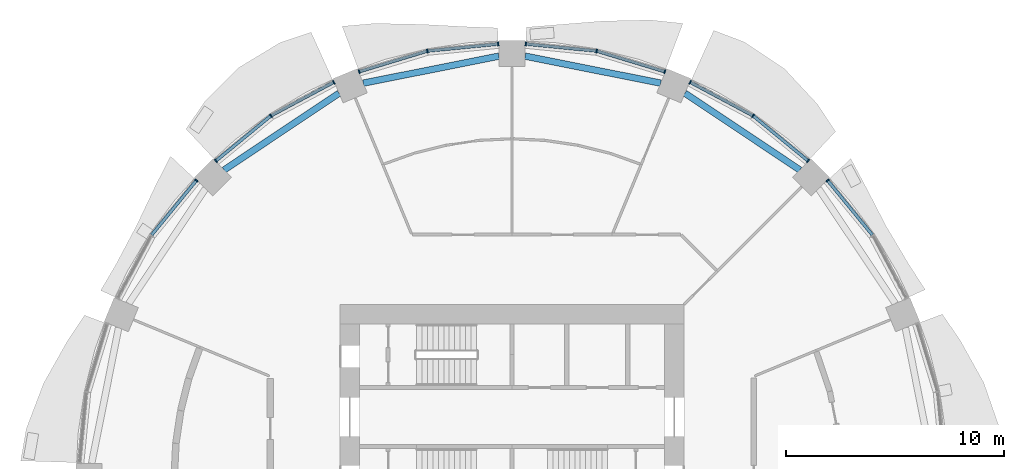
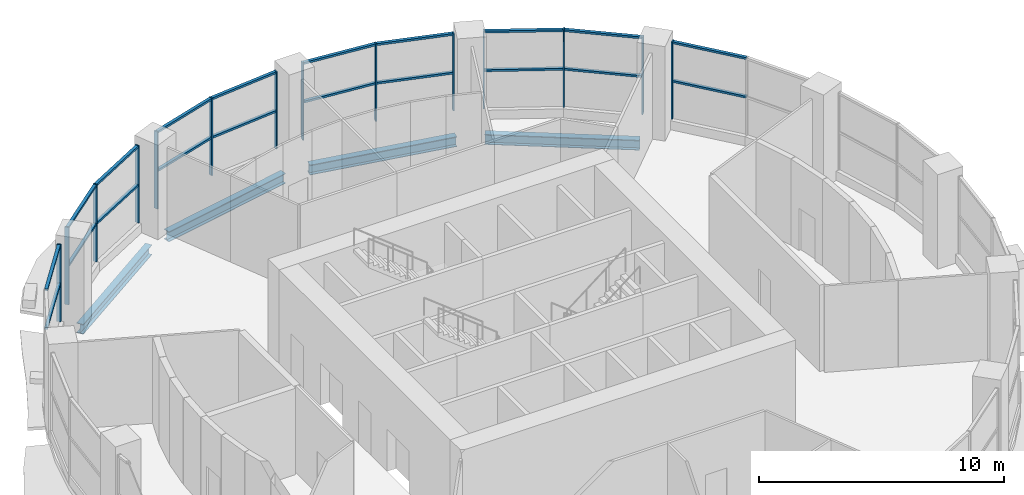
# One storey, part 5 of 14: 34 members, 4 beams, 6 elements without a shape of their own.
"""IFC4 building model written with IfcOpenShell, lengths in metres."""

from ifc_helpers import new_model, si_unit, direction, frame, origin, origin_2d, place, context, subcontext, project, spatial, rectangle, i_section, extrude, material, material_profile, profile_set, type_object, element, aggregate, save


model = new_model("IFC4")

# Units and contexts
model_context = context("Model", 3, precision=1e-05, world=origin(), true_north=direction((0.0, 1.0)))
body_context = subcontext(model_context, "Body", "Model", "MODEL_VIEW")
ifc_project = project(units=[si_unit("LENGTHUNIT", "METRE"), si_unit("AREAUNIT", "SQUARE_METRE"), si_unit("VOLUMEUNIT", "CUBIC_METRE"), si_unit("PLANEANGLEUNIT", "RADIAN"), si_unit("MASSUNIT", "GRAM", prefix="KILO")], contexts=[model_context])

# Site, building, storey
site_placement = place(None, origin())
site = spatial("IfcSite", under=ifc_project, at=site_placement, CompositionType="ELEMENT")
building_placement = place(site_placement, origin())
building = spatial("IfcBuilding", under=site, at=building_placement, Name="Polderwave Tower", CompositionType="ELEMENT")
storey_placement = place(building_placement, frame((0.0, 0.0, 5.199951171875)))
storey = spatial("IfcBuildingStorey", under=building, at=storey_placement, Name="L01", CompositionType="ELEMENT", Elevation=5.199951171875)

# Beams
ifc_material_1 = material(Name="Steel S355", Category="steel")
ifc_material_profile_1 = material_profile(ifc_material_1, i_section(OverallWidth=0.300048828125, OverallDepth=0.5, WebThickness=0.014404296875, FlangeThickness=0.028076171875, at=origin_2d()), Name="HE 500 B")
ifc_profile_set_1 = profile_set([ifc_material_profile_1], Name="Steel S355")
beam_type = type_object("IfcBeamType", Name="RING BEAM HE 500 B", PredefinedType="BEAM", material=ifc_profile_set_1)
for number, where, z_axis, x_axis, name in (
    (1, (13.180908203125, 14.029541015625, -0.64990234375), (-0.831474302372, 0.55556321377, 0.0), (-0.55556321377, -0.831474302372, 0.0), "ST-RB-L01-02"),
    (2, (6.808837890625, 18.005615234375, -0.64990234375), (-0.980781888811, 0.195107371928, 0.0), (-0.195107371928, -0.980781888811, 0.0), "ST-RB-L01-03"),
    (3, (-0.60009765625, 19.24072265625, -0.64990234375), (-0.980781888811, -0.195107371928, 0.0), (0.195107371928, -0.980781888811, 0.0), "ST-RB-L01-04"),
    (4, (-7.91748046875, 17.54638671875, -0.64990234375), (-0.831474302372, -0.55556321377, 0.0), (0.55556321377, -0.831474302372, 0.0), "ST-RB-L01-05"),
):
    element("IfcBeam", number, at=place(storey_placement, frame(where, z_axis=z_axis, x_axis=x_axis)), inside=storey, type_object=beam_type, Name=name, PredefinedType="BEAM", context=body_context, shape_type="SweptSolid", body=[
        extrude(i_section(OverallWidth=0.300048828125, OverallDepth=0.5, WebThickness=0.014404296875, FlangeThickness=0.028076171875, at=origin_2d()), origin(), (0.0, 0.0, 1.0), 6.330322265625),
    ])

# Curtain wall, member
ifc_material_2 = material(Name="Aluminium 6063-T6 and glass", Category="aluminium")
curtain_wall_type = type_object("IfcCurtainWallType", Name="Shopfront glazing wall", PredefinedType="NOTDEFINED", material=ifc_material_2)
curtain_wall_1_placement = place(storey_placement, origin())
curtain_wall_1 = element("IfcCurtainWall", 5, at=curtain_wall_1_placement, inside=storey, type_object=curtain_wall_type, Name="CW1 L01 01", PredefinedType="NOTDEFINED")
ifc_material_3 = material(Name="Aluminium 6063-T6", Category="aluminium")
ifc_material_profile_2 = material_profile(ifc_material_3, rectangle(XDim=0.179931640625, YDim=0.06005859375, at=origin_2d()), Name="AL 60x180")
ifc_profile_set_2 = profile_set([ifc_material_profile_2], Name="Aluminium 6063-T6")
member_type_1 = type_object("IfcMemberType", Name="Shopfront glazing mullion 60x180", PredefinedType="MULLION", material=ifc_profile_set_2)
member_1_placement = place(storey_placement, frame((14.445068359375, 13.5537109375, 0.449951171875), z_axis=(0.0, 0.0, 1.0), x_axis=(-0.773008238908, -0.634395982475, 0.0)))
member_1 = element("IfcMember", 6, at=member_1_placement, type_object=member_type_1, Name="CW1 mullion 3", PredefinedType="MULLION", context=body_context, shape_type="SweptSolid", body=[
    extrude(rectangle(XDim=0.179931640625, YDim=0.06005859375, at=origin_2d()), origin(), (0.0, 0.0, 1.0), 3.85009765625),
])

# Curtain wall, members
curtain_wall_2_placement = place(storey_placement, origin())
curtain_wall_2 = element("IfcCurtainWall", 7, at=curtain_wall_2_placement, inside=storey, type_object=curtain_wall_type, Name="CW1 L01 02", PredefinedType="NOTDEFINED")
member_2_placement = place(storey_placement, frame((13.5537109375, 14.445068359375, 0.449951171875), z_axis=(0.0, 0.0, 1.0), x_axis=(-0.634395982475, -0.773008238908, 0.0)))
member_2 = element("IfcMember", 8, at=member_2_placement, type_object=member_type_1, Name="CW1 mullion 1", PredefinedType="MULLION", context=body_context, shape_type="SweptSolid", body=[
    extrude(rectangle(XDim=0.179931640625, YDim=0.06005859375, at=origin_2d()), origin(), (0.0, 0.0, 1.0), 3.85009765625),
])
member_3_placement = place(storey_placement, frame((11.033935546875, 16.512939453125, 0.449951171875), z_axis=(0.0, 0.0, 1.0), x_axis=(-0.555554269847, -0.831480278332, 0.0)))
member_3 = element("IfcMember", 9, at=member_3_placement, type_object=member_type_1, Name="CW1 mullion 2", PredefinedType="MULLION", context=body_context, shape_type="SweptSolid", body=[
    extrude(rectangle(XDim=0.179931640625, YDim=0.06005859375, at=origin_2d()), origin(), (0.0, 0.0, 1.0), 3.85009765625),
])
member_4_placement = place(storey_placement, frame((8.158447265625, 18.0498046875, 0.449951171875), z_axis=(0.0, 0.0, 1.0), x_axis=(-0.471361333858, -0.881940186716, 0.0)))
member_4 = element("IfcMember", 10, at=member_4_placement, type_object=member_type_1, Name="CW1 mullion 3", PredefinedType="MULLION", context=body_context, shape_type="SweptSolid", body=[
    extrude(rectangle(XDim=0.179931640625, YDim=0.06005859375, at=origin_2d()), origin(), (0.0, 0.0, 1.0), 3.85009765625),
])

curtain_wall_3_placement = place(storey_placement, origin())
curtain_wall_3 = element("IfcCurtainWall", 11, at=curtain_wall_3_placement, inside=storey, type_object=curtain_wall_type, Name="CW1 L01 03", PredefinedType="NOTDEFINED")
member_5_placement = place(storey_placement, frame((6.994384765625, 18.53173828125, 0.449951171875), z_axis=(0.0, 0.0, 1.0), x_axis=(-0.290217869509, -0.956960599094, 0.0)))
member_5 = element("IfcMember", 12, at=member_5_placement, type_object=member_type_1, Name="CW1 mullion 1", PredefinedType="MULLION", context=body_context, shape_type="SweptSolid", body=[
    extrude(rectangle(XDim=0.179931640625, YDim=0.06005859375, at=origin_2d()), origin(), (0.0, 0.0, 1.0), 3.85009765625),
])
member_6_placement = place(storey_placement, frame((3.8740234375, 19.47802734375, 0.449951171875), z_axis=(0.0, 0.0, 1.0), x_axis=(-0.195136540217, -0.980776085899, 0.0)))
member_6 = element("IfcMember", 13, at=member_6_placement, type_object=member_type_1, Name="CW1 mullion 2", PredefinedType="MULLION", context=body_context, shape_type="SweptSolid", body=[
    extrude(rectangle(XDim=0.179931640625, YDim=0.06005859375, at=origin_2d()), origin(), (0.0, 0.0, 1.0), 3.85009765625),
])
member_7_placement = place(storey_placement, frame((0.6298828125, 19.798095703125, 0.449951171875), z_axis=(0.0, 0.0, 1.0), x_axis=(-0.098178673064, -0.99516880385, 0.0)))
member_7 = element("IfcMember", 14, at=member_7_placement, type_object=member_type_1, Name="CW1 mullion 3", PredefinedType="MULLION", context=body_context, shape_type="SweptSolid", body=[
    extrude(rectangle(XDim=0.179931640625, YDim=0.06005859375, at=origin_2d()), origin(), (0.0, 0.0, 1.0), 3.85009765625),
])

curtain_wall_4_placement = place(storey_placement, origin())
curtain_wall_4 = element("IfcCurtainWall", 15, at=curtain_wall_4_placement, inside=storey, type_object=curtain_wall_type, Name="CW1 L01 04", PredefinedType="NOTDEFINED")
member_8_placement = place(storey_placement, frame((-0.6298828125, 19.798095703125, 0.449951171875), z_axis=(0.0, 0.0, 1.0), x_axis=(0.098178673064, -0.99516880385, 0.0)))
member_8 = element("IfcMember", 16, at=member_8_placement, type_object=member_type_1, Name="CW1 mullion 1", PredefinedType="MULLION", context=body_context, shape_type="SweptSolid", body=[
    extrude(rectangle(XDim=0.179931640625, YDim=0.06005859375, at=origin_2d()), origin(), (0.0, 0.0, 1.0), 3.85009765625),
])
member_9_placement = place(storey_placement, frame((-3.8740234375, 19.47802734375, 0.449951171875), z_axis=(0.0, 0.0, 1.0), x_axis=(0.195136540217, -0.980776085899, 0.0)))
member_9 = element("IfcMember", 17, at=member_9_placement, type_object=member_type_1, Name="CW1 mullion 2", PredefinedType="MULLION", context=body_context, shape_type="SweptSolid", body=[
    extrude(rectangle(XDim=0.179931640625, YDim=0.06005859375, at=origin_2d()), origin(), (0.0, 0.0, 1.0), 3.85009765625),
])
member_10_placement = place(storey_placement, frame((-6.994384765625, 18.53173828125, 0.449951171875), z_axis=(0.0, 0.0, 1.0), x_axis=(0.290217869509, -0.956960599094, 0.0)))
member_10 = element("IfcMember", 18, at=member_10_placement, type_object=member_type_1, Name="CW1 mullion 3", PredefinedType="MULLION", context=body_context, shape_type="SweptSolid", body=[
    extrude(rectangle(XDim=0.179931640625, YDim=0.06005859375, at=origin_2d()), origin(), (0.0, 0.0, 1.0), 3.85009765625),
])

curtain_wall_5_placement = place(storey_placement, origin())
curtain_wall_5 = element("IfcCurtainWall", 19, at=curtain_wall_5_placement, inside=storey, type_object=curtain_wall_type, Name="CW1 L01 05", PredefinedType="NOTDEFINED")
member_11_placement = place(storey_placement, frame((-8.158447265625, 18.0498046875, 0.449951171875), z_axis=(0.0, 0.0, 1.0), x_axis=(0.471361333858, -0.881940186716, 0.0)))
member_11 = element("IfcMember", 20, at=member_11_placement, type_object=member_type_1, Name="CW1 mullion 1", PredefinedType="MULLION", context=body_context, shape_type="SweptSolid", body=[
    extrude(rectangle(XDim=0.179931640625, YDim=0.06005859375, at=origin_2d()), origin(), (0.0, 0.0, 1.0), 3.85009765625),
])
member_12_placement = place(storey_placement, frame((-11.033935546875, 16.512939453125, 0.449951171875), z_axis=(0.0, 0.0, 1.0), x_axis=(0.555554269847, -0.831480278332, 0.0)))
member_12 = element("IfcMember", 21, at=member_12_placement, type_object=member_type_1, Name="CW1 mullion 2", PredefinedType="MULLION", context=body_context, shape_type="SweptSolid", body=[
    extrude(rectangle(XDim=0.179931640625, YDim=0.06005859375, at=origin_2d()), origin(), (0.0, 0.0, 1.0), 3.85009765625),
])
member_13_placement = place(storey_placement, frame((-13.5537109375, 14.445068359375, 0.449951171875), z_axis=(0.0, 0.0, 1.0), x_axis=(0.634395982475, -0.773008238908, 0.0)))
member_13 = element("IfcMember", 22, at=member_13_placement, type_object=member_type_1, Name="CW1 mullion 3", PredefinedType="MULLION", context=body_context, shape_type="SweptSolid", body=[
    extrude(rectangle(XDim=0.179931640625, YDim=0.06005859375, at=origin_2d()), origin(), (0.0, 0.0, 1.0), 3.85009765625),
])

# Curtain wall, member
curtain_wall_6_placement = place(storey_placement, origin())
curtain_wall_6 = element("IfcCurtainWall", 23, at=curtain_wall_6_placement, inside=storey, type_object=curtain_wall_type, Name="CW1 L01 06", PredefinedType="NOTDEFINED")
member_14_placement = place(storey_placement, frame((-14.445068359375, 13.5537109375, 0.449951171875), z_axis=(0.0, 0.0, 1.0), x_axis=(0.773008238908, -0.634395982475, 0.0)))
member_14 = element("IfcMember", 24, at=member_14_placement, type_object=member_type_1, Name="CW1 mullion 1", PredefinedType="MULLION", context=body_context, shape_type="SweptSolid", body=[
    extrude(rectangle(XDim=0.179931640625, YDim=0.06005859375, at=origin_2d()), origin(), (0.0, 0.0, 1.0), 3.85009765625),
])

# Member
ifc_material_profile_3 = material_profile(ifc_material_3, rectangle(XDim=0.139892578125, YDim=0.10009765625, at=origin_2d()), Name="AL 100x140")
ifc_profile_set_3 = profile_set([ifc_material_profile_3], Name="Aluminium 6063-T6")
member_type_2 = type_object("IfcMemberType", Name="Shopfront glazing transom 100x140", PredefinedType="USERDEFINED", material=ifc_profile_set_3)
member_15_placement = place(storey_placement, frame((16.493896484375, 11.05712890625, 2.324951171875), z_axis=(-0.634379750332, 0.773021560093, 0.0), x_axis=(-0.773021560093, -0.634379750332, 0.0)))
member_15 = element("IfcMember", 25, at=member_15_placement, type_object=member_type_2, Name="CW1 transom 3", ObjectType="TRANSOM", PredefinedType="USERDEFINED", context=body_context, shape_type="SweptSolid", body=[
    extrude(rectangle(XDim=0.139892578125, YDim=0.10009765625, at=origin_2d()), origin(), (0.0, 0.0, 1.0), 3.19970703125),
])

member_16_placement = place(storey_placement, frame((16.493896484375, 11.05712890625, 4.25), z_axis=(-0.634379750332, 0.773021560093, 0.0), x_axis=(-0.773021560093, -0.634379750332, 0.0)))
member_16 = element("IfcMember", 26, at=member_16_placement, type_object=member_type_2, Name="CW1 transom 4", ObjectType="TRANSOM", PredefinedType="USERDEFINED", context=body_context, shape_type="SweptSolid", body=[
    extrude(rectangle(XDim=0.139892578125, YDim=0.10009765625, at=origin_2d()), origin(), (0.0, 0.0, 1.0), 3.19970703125),
])

aggregate(curtain_wall_1, [member_1, member_15, member_16])

member_17_placement = place(storey_placement, frame((13.530517578125, 14.464111328125, 2.324951171875), z_axis=(-0.773021560093, 0.634379750332, 0.0), x_axis=(-0.634379750332, -0.773021560093, 0.0)))
member_17 = element("IfcMember", 27, at=member_17_placement, type_object=member_type_2, Name="CW1 transom 1", ObjectType="TRANSOM", PredefinedType="USERDEFINED", context=body_context, shape_type="SweptSolid", body=[
    extrude(rectangle(XDim=0.139892578125, YDim=0.10009765625, at=origin_2d()), origin(), (0.0, 0.0, 1.0), 3.19970703125),
])

member_18_placement = place(storey_placement, frame((13.530517578125, 14.464111328125, 4.25), z_axis=(-0.773021560093, 0.634379750332, 0.0), x_axis=(-0.634379750332, -0.773021560093, 0.0)))
member_18 = element("IfcMember", 28, at=member_18_placement, type_object=member_type_2, Name="CW1 transom 2", ObjectType="TRANSOM", PredefinedType="USERDEFINED", context=body_context, shape_type="SweptSolid", body=[
    extrude(rectangle(XDim=0.139892578125, YDim=0.10009765625, at=origin_2d()), origin(), (0.0, 0.0, 1.0), 3.19970703125),
])

member_19_placement = place(storey_placement, frame((11.007568359375, 16.527099609375, 2.324951171875), z_axis=(-0.8819535377, 0.471336352659, 0.0), x_axis=(-0.471336352659, -0.8819535377, 0.0)))
member_19 = element("IfcMember", 29, at=member_19_placement, type_object=member_type_2, Name="CW1 transom 3", ObjectType="TRANSOM", PredefinedType="USERDEFINED", context=body_context, shape_type="SweptSolid", body=[
    extrude(rectangle(XDim=0.139892578125, YDim=0.10009765625, at=origin_2d()), origin(), (0.0, 0.0, 1.0), 3.20068359375),
])

member_20_placement = place(storey_placement, frame((11.007568359375, 16.527099609375, 4.25), z_axis=(-0.8819535377, 0.471336352659, 0.0), x_axis=(-0.471336352659, -0.8819535377, 0.0)))
member_20 = element("IfcMember", 30, at=member_20_placement, type_object=member_type_2, Name="CW1 transom 4", ObjectType="TRANSOM", PredefinedType="USERDEFINED", context=body_context, shape_type="SweptSolid", body=[
    extrude(rectangle(XDim=0.139892578125, YDim=0.10009765625, at=origin_2d()), origin(), (0.0, 0.0, 1.0), 3.20068359375),
])

aggregate(curtain_wall_2, [member_2, member_3, member_4, member_17, member_18, member_19, member_20])

member_21_placement = place(storey_placement, frame((6.965576171875, 18.540283203125, 2.324951171875), z_axis=(-0.95695701978, 0.290229671629, 0.0), x_axis=(-0.290229671629, -0.95695701978, 0.0)))
member_21 = element("IfcMember", 31, at=member_21_placement, type_object=member_type_2, Name="CW1 transom 1", ObjectType="TRANSOM", PredefinedType="USERDEFINED", context=body_context, shape_type="SweptSolid", body=[
    extrude(rectangle(XDim=0.139892578125, YDim=0.10009765625, at=origin_2d()), origin(), (0.0, 0.0, 1.0), 3.20068359375),
])

member_22_placement = place(storey_placement, frame((6.965576171875, 18.540283203125, 4.25), z_axis=(-0.95695701978, 0.290229671629, 0.0), x_axis=(-0.290229671629, -0.95695701978, 0.0)))
member_22 = element("IfcMember", 32, at=member_22_placement, type_object=member_type_2, Name="CW1 transom 2", ObjectType="TRANSOM", PredefinedType="USERDEFINED", context=body_context, shape_type="SweptSolid", body=[
    extrude(rectangle(XDim=0.139892578125, YDim=0.10009765625, at=origin_2d()), origin(), (0.0, 0.0, 1.0), 3.20068359375),
])

member_23_placement = place(storey_placement, frame((3.843994140625, 19.48095703125, 2.324951171875), z_axis=(-0.99516702221, 0.098196730628, 0.0), x_axis=(-0.098196730628, -0.99516702221, 0.0)))
member_23 = element("IfcMember", 33, at=member_23_placement, type_object=member_type_2, Name="CW1 transom 3", ObjectType="TRANSOM", PredefinedType="USERDEFINED", context=body_context, shape_type="SweptSolid", body=[
    extrude(rectangle(XDim=0.139892578125, YDim=0.10009765625, at=origin_2d()), origin(), (0.0, 0.0, 1.0), 3.19970703125),
])

member_24_placement = place(storey_placement, frame((3.843994140625, 19.48095703125, 4.25), z_axis=(-0.99516702221, 0.098196730628, 0.0), x_axis=(-0.098196730628, -0.99516702221, 0.0)))
member_24 = element("IfcMember", 34, at=member_24_placement, type_object=member_type_2, Name="CW1 transom 4", ObjectType="TRANSOM", PredefinedType="USERDEFINED", context=body_context, shape_type="SweptSolid", body=[
    extrude(rectangle(XDim=0.139892578125, YDim=0.10009765625, at=origin_2d()), origin(), (0.0, 0.0, 1.0), 3.19970703125),
])

aggregate(curtain_wall_3, [member_5, member_6, member_7, member_21, member_22, member_23, member_24])

member_25_placement = place(storey_placement, frame((-0.65966796875, 19.795166015625, 2.324951171875), z_axis=(-0.99516702221, -0.098196730628, 0.0), x_axis=(0.098196730628, -0.99516702221, 0.0)))
member_25 = element("IfcMember", 35, at=member_25_placement, type_object=member_type_2, Name="CW1 transom 1", ObjectType="TRANSOM", PredefinedType="USERDEFINED", context=body_context, shape_type="SweptSolid", body=[
    extrude(rectangle(XDim=0.139892578125, YDim=0.10009765625, at=origin_2d()), origin(), (0.0, 0.0, 1.0), 3.19970703125),
])

member_26_placement = place(storey_placement, frame((-0.65966796875, 19.795166015625, 4.25), z_axis=(-0.99516702221, -0.098196730628, 0.0), x_axis=(0.098196730628, -0.99516702221, 0.0)))
member_26 = element("IfcMember", 36, at=member_26_placement, type_object=member_type_2, Name="CW1 transom 2", ObjectType="TRANSOM", PredefinedType="USERDEFINED", context=body_context, shape_type="SweptSolid", body=[
    extrude(rectangle(XDim=0.139892578125, YDim=0.10009765625, at=origin_2d()), origin(), (0.0, 0.0, 1.0), 3.19970703125),
])

member_27_placement = place(storey_placement, frame((-3.902587890625, 19.46923828125, 2.324951171875), z_axis=(-0.95695701978, -0.290229671629, 0.0), x_axis=(0.290229671629, -0.95695701978, 0.0)))
member_27 = element("IfcMember", 37, at=member_27_placement, type_object=member_type_2, Name="CW1 transom 3", ObjectType="TRANSOM", PredefinedType="USERDEFINED", context=body_context, shape_type="SweptSolid", body=[
    extrude(rectangle(XDim=0.139892578125, YDim=0.10009765625, at=origin_2d()), origin(), (0.0, 0.0, 1.0), 3.20068359375),
])

member_28_placement = place(storey_placement, frame((-3.902587890625, 19.46923828125, 4.25), z_axis=(-0.95695701978, -0.290229671629, 0.0), x_axis=(0.290229671629, -0.95695701978, 0.0)))
member_28 = element("IfcMember", 38, at=member_28_placement, type_object=member_type_2, Name="CW1 transom 4", ObjectType="TRANSOM", PredefinedType="USERDEFINED", context=body_context, shape_type="SweptSolid", body=[
    extrude(rectangle(XDim=0.139892578125, YDim=0.10009765625, at=origin_2d()), origin(), (0.0, 0.0, 1.0), 3.20068359375),
])

aggregate(curtain_wall_4, [member_8, member_9, member_10, member_25, member_26, member_27, member_28])

member_29_placement = place(storey_placement, frame((-8.184814453125, 18.03564453125, 2.324951171875), z_axis=(-0.8819535377, -0.471336352659, 0.0), x_axis=(0.471336352659, -0.8819535377, 0.0)))
member_29 = element("IfcMember", 39, at=member_29_placement, type_object=member_type_2, Name="CW1 transom 1", ObjectType="TRANSOM", PredefinedType="USERDEFINED", context=body_context, shape_type="SweptSolid", body=[
    extrude(rectangle(XDim=0.139892578125, YDim=0.10009765625, at=origin_2d()), origin(), (0.0, 0.0, 1.0), 3.20068359375),
])

member_30_placement = place(storey_placement, frame((-8.184814453125, 18.03564453125, 4.25), z_axis=(-0.8819535377, -0.471336352659, 0.0), x_axis=(0.471336352659, -0.8819535377, 0.0)))
member_30 = element("IfcMember", 40, at=member_30_placement, type_object=member_type_2, Name="CW1 transom 2", ObjectType="TRANSOM", PredefinedType="USERDEFINED", context=body_context, shape_type="SweptSolid", body=[
    extrude(rectangle(XDim=0.139892578125, YDim=0.10009765625, at=origin_2d()), origin(), (0.0, 0.0, 1.0), 3.20068359375),
])

member_31_placement = place(storey_placement, frame((-11.05712890625, 16.493896484375, 2.324951171875), z_axis=(-0.773021560093, -0.634379750332, 0.0), x_axis=(0.634379750332, -0.773021560093, 0.0)))
member_31 = element("IfcMember", 41, at=member_31_placement, type_object=member_type_2, Name="CW1 transom 3", ObjectType="TRANSOM", PredefinedType="USERDEFINED", context=body_context, shape_type="SweptSolid", body=[
    extrude(rectangle(XDim=0.139892578125, YDim=0.10009765625, at=origin_2d()), origin(), (0.0, 0.0, 1.0), 3.19970703125),
])

member_32_placement = place(storey_placement, frame((-11.05712890625, 16.493896484375, 4.25), z_axis=(-0.773021560093, -0.634379750332, 0.0), x_axis=(0.634379750332, -0.773021560093, 0.0)))
member_32 = element("IfcMember", 42, at=member_32_placement, type_object=member_type_2, Name="CW1 transom 4", ObjectType="TRANSOM", PredefinedType="USERDEFINED", context=body_context, shape_type="SweptSolid", body=[
    extrude(rectangle(XDim=0.139892578125, YDim=0.10009765625, at=origin_2d()), origin(), (0.0, 0.0, 1.0), 3.19970703125),
])

aggregate(curtain_wall_5, [member_11, member_12, member_13, member_29, member_30, member_31, member_32])

member_33_placement = place(storey_placement, frame((-14.464111328125, 13.530517578125, 2.324951171875), z_axis=(-0.634379750332, -0.773021560093, 0.0), x_axis=(0.773021560093, -0.634379750332, 0.0)))
member_33 = element("IfcMember", 43, at=member_33_placement, type_object=member_type_2, Name="CW1 transom 1", ObjectType="TRANSOM", PredefinedType="USERDEFINED", context=body_context, shape_type="SweptSolid", body=[
    extrude(rectangle(XDim=0.139892578125, YDim=0.10009765625, at=origin_2d()), origin(), (0.0, 0.0, 1.0), 3.19970703125),
])

member_34_placement = place(storey_placement, frame((-14.464111328125, 13.530517578125, 4.25), z_axis=(-0.634379750332, -0.773021560093, 0.0), x_axis=(0.773021560093, -0.634379750332, 0.0)))
member_34 = element("IfcMember", 44, at=member_34_placement, type_object=member_type_2, Name="CW1 transom 2", ObjectType="TRANSOM", PredefinedType="USERDEFINED", context=body_context, shape_type="SweptSolid", body=[
    extrude(rectangle(XDim=0.139892578125, YDim=0.10009765625, at=origin_2d()), origin(), (0.0, 0.0, 1.0), 3.19970703125),
])

aggregate(curtain_wall_6, [member_14, member_33, member_34])

save(model, "model.ifc")
